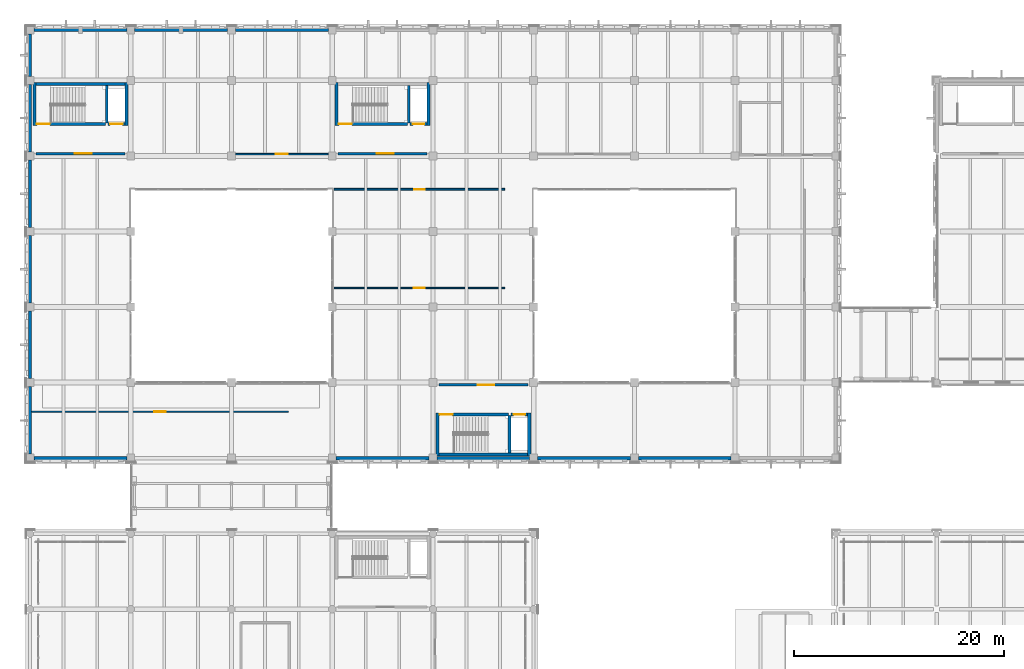
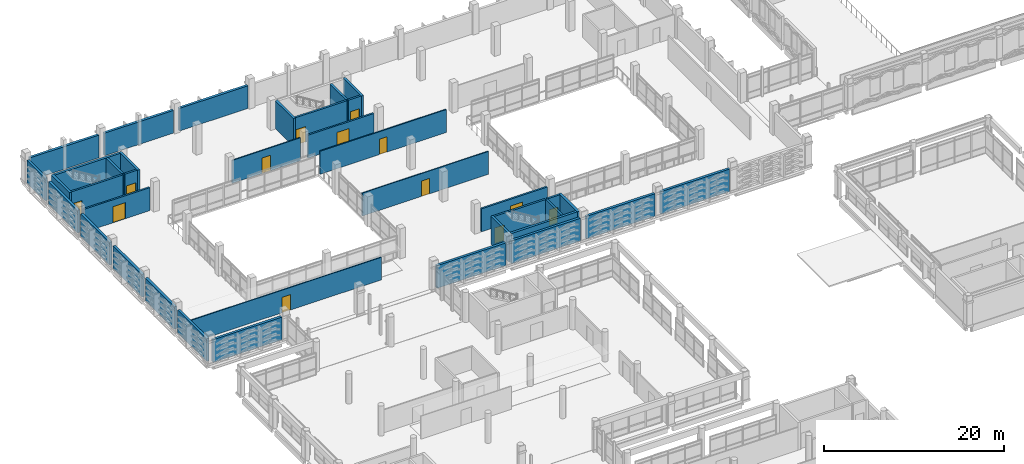
# One storey, part 154 of 180: 38 walls, 13 doors, 13 openings.
"""IFC4 building model written with IfcOpenShell, lengths in metres."""

from ifc_helpers import new_model, si_unit, direction, frame, frame_2d, origin, place, context, subcontext, project, spatial, rectangle, extrude, material, layer, layer_set, type_object, element, fill, save


model = new_model("IFC4")

# Units and contexts
model_context = context("Model", 3, precision=1e-05, world=origin(), true_north=direction((0.0, 1.0)))
body_context = subcontext(model_context, "Body", "Model", "MODEL_VIEW")
ifc_project = project(units=[si_unit("LENGTHUNIT", "METRE"), si_unit("AREAUNIT", "SQUARE_METRE"), si_unit("VOLUMEUNIT", "CUBIC_METRE"), si_unit("PLANEANGLEUNIT", "RADIAN"), si_unit("MASSUNIT", "GRAM", prefix="KILO")], contexts=[model_context])

# Site, building, storey
site_placement = place(None, origin())
site = spatial("IfcSite", under=ifc_project, at=site_placement, CompositionType="ELEMENT")
building_placement = place(site_placement, origin())
building = spatial("IfcBuilding", under=site, at=building_placement, Name="Asteropetra Specialist Clinic", CompositionType="ELEMENT")
storey_placement = place(building_placement, frame((0.0, 0.0, 4.419921875)))
storey = spatial("IfcBuildingStorey", under=building, at=storey_placement, Name="L01", CompositionType="ELEMENT", Elevation=4.419921875)

# Walls
ifc_material_1 = material(Name="Chevron terracotta deep", Category="masonry")
ifc_layer_1 = layer(ifc_material_1, 0.320068359375)
ifc_layer_set_1 = layer_set([ifc_layer_1], Name="Chevron terracotta deep")
wall_type_1 = type_object("IfcWallType", Name="EW-CHEV-TER-320", PredefinedType="SOLIDWALL", material=ifc_layer_set_1)
for number, where, z_axis, x_axis, name in (
    (1, (0.375, 69.60009765625, 0.0), (0.0, 0.0, 1.0), (1.0, 0.0, 0.0), "Exterior Wall EW-0062"),
    (2, (9.22509765625, 110.39990234375, 0.0), (0.0, 0.0, 1.0), (-1.0, 0.0, 0.0), "Exterior Wall EW-0063"),
):
    element("IfcWall", number, at=place(storey_placement, frame(where, z_axis=z_axis, x_axis=x_axis)), inside=storey, type_object=wall_type_1, Name=name, PredefinedType="SOLIDWALL", context=body_context, shape_type="SweptSolid", body=[
        extrude(rectangle(XDim=8.85009765625, YDim=0.320068359375, at=frame_2d((4.425048828125, 0.0))), origin(), (0.0, 0.0, 1.0), 3.080078125),
    ])
wall_1_placement = place(storey_placement, frame((18.824951171875, 110.39990234375, 0.0), z_axis=(0.0, 0.0, 1.0), x_axis=(-1.0, 0.0, 0.0)))
element("IfcWall", 3, at=wall_1_placement, inside=storey, type_object=wall_type_1, Name="Exterior Wall EW-0064", PredefinedType="SOLIDWALL", context=body_context, shape_type="SweptSolid", body=[
    extrude(rectangle(XDim=8.849853515625, YDim=0.320068359375, at=frame_2d((4.4248046875, 0.0))), origin(), (0.0, 0.0, 1.0), 3.080078125),
])
wall_2_placement = place(storey_placement, frame((28.425048828125, 110.39990234375, 0.0), z_axis=(0.0, 0.0, 1.0), x_axis=(-1.0, 0.0, 0.0)))
element("IfcWall", 4, at=wall_2_placement, inside=storey, type_object=wall_type_1, Name="Exterior Wall EW-0065", PredefinedType="SOLIDWALL", context=body_context, shape_type="SweptSolid", body=[
    extrude(rectangle(XDim=8.85009765625, YDim=0.320068359375, at=frame_2d((4.425048828125, 0.0))), origin(), (0.0, 0.0, 1.0), 3.080078125),
])
wall_3_placement = place(storey_placement, frame((29.175048828125, 69.60009765625, 0.0), z_axis=(0.0, 0.0, 1.0), x_axis=(1.0, 0.0, 0.0)))
element("IfcWall", 5, at=wall_3_placement, inside=storey, type_object=wall_type_1, Name="Exterior Wall EW-0066", PredefinedType="SOLIDWALL", context=body_context, shape_type="SweptSolid", body=[
    extrude(rectangle(XDim=8.849853515625, YDim=0.320068359375, at=frame_2d((4.4248046875, 0.0))), origin(), (0.0, 0.0, 1.0), 3.080078125),
])
wall_4_placement = place(storey_placement, frame((38.77490234375, 69.60009765625, 0.0), z_axis=(0.0, 0.0, 1.0), x_axis=(1.0, 0.0, 0.0)))
element("IfcWall", 6, at=wall_4_placement, inside=storey, type_object=wall_type_1, Name="Exterior Wall EW-0068", PredefinedType="SOLIDWALL", context=body_context, shape_type="SweptSolid", body=[
    extrude(rectangle(XDim=8.85009765625, YDim=0.320068359375, at=frame_2d((4.425048828125, 0.0))), origin(), (0.0, 0.0, 1.0), 3.080078125),
])
wall_5_placement = place(storey_placement, frame((48.375, 69.60009765625, 0.0), z_axis=(0.0, 0.0, 1.0), x_axis=(1.0, 0.0, 0.0)))
element("IfcWall", 7, at=wall_5_placement, inside=storey, type_object=wall_type_1, Name="Exterior Wall EW-0070", PredefinedType="SOLIDWALL", context=body_context, shape_type="SweptSolid", body=[
    extrude(rectangle(XDim=8.85009765625, YDim=0.320068359375, at=frame_2d((4.425048828125, 0.0))), origin(), (0.0, 0.0, 1.0), 3.050048828125),
])
wall_6_placement = place(storey_placement, frame((57.97509765625, 69.60009765625, 0.0), z_axis=(0.0, 0.0, 1.0), x_axis=(1.0, 0.0, 0.0)))
element("IfcWall", 8, at=wall_6_placement, inside=storey, type_object=wall_type_1, Name="Exterior Wall EW-0072", PredefinedType="SOLIDWALL", context=body_context, shape_type="SweptSolid", body=[
    extrude(rectangle(XDim=8.849853515625, YDim=0.320068359375, at=frame_2d((4.4248046875, 0.0))), origin(), (0.0, 0.0, 1.0), 3.050048828125),
])
for number, where, z_axis, x_axis, name in (
    (9, (0.0, 76.425048828125, 0.0), (0.0, 0.0, 1.0), (0.0, -1.0, 0.0), "Exterior Wall EW-0076"),
    (10, (0.0, 83.625, 0.0), (0.0, 0.0, 1.0), (0.0, -1.0, 0.0), "Exterior Wall EW-0078"),
    (11, (0.0, 90.824951171875, 0.0), (0.0, 0.0, 1.0), (0.0, -1.0, 0.0), "Exterior Wall EW-0079"),
    (12, (0.0, 98.02490234375, 0.0), (0.0, 0.0, 1.0), (0.0, -1.0, 0.0), "Exterior Wall EW-0081"),
):
    element("IfcWall", number, at=place(storey_placement, frame(where, z_axis=z_axis, x_axis=x_axis)), inside=storey, type_object=wall_type_1, Name=name, PredefinedType="SOLIDWALL", context=body_context, shape_type="SweptSolid", body=[
        extrude(rectangle(XDim=6.449951171875, YDim=0.320068359375, at=frame_2d((3.22509765625, 0.0))), origin(), (0.0, 0.0, 1.0), 3.080078125),
    ])
wall_7_placement = place(storey_placement, frame((0.0, 105.22509765625, 0.0), z_axis=(0.0, 0.0, 1.0), x_axis=(0.0, -1.0, 0.0)))
element("IfcWall", 13, at=wall_7_placement, inside=storey, type_object=wall_type_1, Name="Exterior Wall EW-0083", PredefinedType="SOLIDWALL", context=body_context, shape_type="SweptSolid", body=[
    extrude(rectangle(XDim=6.4501953125, YDim=0.320068359375, at=frame_2d((3.22509765625, 0.0))), origin(), (0.0, 0.0, 1.0), 3.080078125),
])
wall_8_placement = place(storey_placement, frame((0.0, 110.02490234375, 0.0), z_axis=(0.0, 0.0, 1.0), x_axis=(0.0, -1.0, 0.0)))
element("IfcWall", 14, at=wall_8_placement, inside=storey, type_object=wall_type_1, Name="Exterior Wall EW-0085", PredefinedType="SOLIDWALL", context=body_context, shape_type="SweptSolid", body=[
    extrude(rectangle(XDim=4.0498046875, YDim=0.320068359375, at=frame_2d((2.02490234375, 0.0))), origin(), (0.0, 0.0, 1.0), 3.080078125),
])

# Wall, opening, door
ifc_material_2 = material(Name="Fire-rated masonry and gypsum", Category="masonry")
ifc_layer_2 = layer(ifc_material_2, 0.219970703125)
ifc_layer_set_2 = layer_set([ifc_layer_2], Name="Fire-rated masonry and gypsum")
wall_type_2 = type_object("IfcWallType", Name="W-COMP-220", PredefinedType="PARTITIONING", material=ifc_layer_set_2)
wall_9_placement = place(storey_placement, frame((0.56005859375, 98.6201171875, 0.0), z_axis=(0.0, 0.0, 1.0), x_axis=(1.0, 0.0, 0.0)))
wall_9 = element("IfcWall", 15, at=wall_9_placement, inside=storey, type_object=wall_type_2, Name="Core Wall CW-C1-L01-LOB", PredefinedType="PARTITIONING", context=body_context, shape_type="SweptSolid", body=[
    extrude(rectangle(XDim=8.47998046875, YDim=0.219970703125, at=frame_2d((4.239990234375, 0.0))), origin(), (0.0, 0.0, 1.0), 3.130126953125),
])
opening_1_placement = place(wall_9_placement, frame((3.699951171875, 0.0, 0.0)))
opening_1 = element("IfcOpeningElement", 16, at=opening_1_placement, cuts=wall_9, Name="Opening FD-004", PredefinedType="OPENING", context=body_context, shape_type="SweptSolid", body=[
    extrude(rectangle(XDim=1.60009765625, YDim=2.199951171875, at=frame_2d((0.800048828125, 1.10009765625))), frame((0.0, 0.119873046875, 0.0), z_axis=(0.0, -1.0, 0.0), x_axis=(1.0, 0.0, 0.0)), (0.0, 0.0, 1.0), 0.239990234375),
])
ifc_material_3 = material(Name="Fire-rated steel and vision glass door", Category="steel")
door_type_1 = type_object("IfcDoorType", Name="FD-LOBBY-1600", OperationType="DOUBLE_DOOR_SINGLE_SWING", PredefinedType="DOOR", material=ifc_material_3)
door_1_placement = place(opening_1_placement, origin())
door_1 = element("IfcDoor", 17, at=door_1_placement, inside=storey, type_object=door_type_1, Name="Lobby Fire Door FD-004", OperationType="DOUBLE_DOOR_SINGLE_SWING", OverallHeight=2.199951171875, OverallWidth=1.60009765625, PredefinedType="DOOR", context=body_context, shape_type="SweptSolid", body=[
    extrude(rectangle(XDim=1.60009765625, YDim=2.199951171875, at=frame_2d((0.800048828125, 1.10009765625))), frame((0.0, 0.02490234375, 0.0), z_axis=(0.0, -1.0, 0.0), x_axis=(1.0, 0.0, 0.0)), (0.0, 0.0, 1.0), 0.050048828125),
])
fill(opening_1, door_1)

wall_10_placement = place(storey_placement, frame((29.360107421875, 98.6201171875, 0.0), z_axis=(0.0, 0.0, 1.0), x_axis=(1.0, 0.0, 0.0)))
wall_10 = element("IfcWall", 18, at=wall_10_placement, inside=storey, type_object=wall_type_2, Name="Core Wall CW-C2-L01-LOB", PredefinedType="PARTITIONING", context=body_context, shape_type="SweptSolid", body=[
    extrude(rectangle(XDim=8.47998046875, YDim=0.219970703125, at=frame_2d((4.239990234375, 0.0))), origin(), (0.0, 0.0, 1.0), 3.130126953125),
])
opening_2_placement = place(wall_10_placement, frame((3.699951171875, 0.0, 0.0)))
opening_2 = element("IfcOpeningElement", 19, at=opening_2_placement, cuts=wall_10, Name="Opening FD-016", PredefinedType="OPENING", context=body_context, shape_type="SweptSolid", body=[
    extrude(rectangle(XDim=1.60009765625, YDim=2.199951171875, at=frame_2d((0.800048828125, 1.10009765625))), frame((0.0, 0.119873046875, 0.0), z_axis=(0.0, -1.0, 0.0), x_axis=(1.0, 0.0, 0.0)), (0.0, 0.0, 1.0), 0.239990234375),
])
door_2_placement = place(opening_2_placement, origin())
door_2 = element("IfcDoor", 20, at=door_2_placement, inside=storey, type_object=door_type_1, Name="Lobby Fire Door FD-016", OperationType="DOUBLE_DOOR_SINGLE_SWING", OverallHeight=2.199951171875, OverallWidth=1.60009765625, PredefinedType="DOOR", context=body_context, shape_type="SweptSolid", body=[
    extrude(rectangle(XDim=1.60009765625, YDim=2.199951171875, at=frame_2d((0.800048828125, 1.10009765625))), frame((0.0, 0.02490234375, 0.0), z_axis=(0.0, -1.0, 0.0), x_axis=(1.0, 0.0, 0.0)), (0.0, 0.0, 1.0), 0.050048828125),
])
fill(opening_2, door_2)

wall_11_placement = place(storey_placement, frame((38.9599609375, 76.580078125, 0.0), z_axis=(0.0, 0.0, 1.0), x_axis=(1.0, 0.0, 0.0)))
wall_11 = element("IfcWall", 21, at=wall_11_placement, inside=storey, type_object=wall_type_2, Name="Core Wall CW-C3-L01-LOB", PredefinedType="PARTITIONING", context=body_context, shape_type="SweptSolid", body=[
    extrude(rectangle(XDim=8.47998046875, YDim=0.219970703125, at=frame_2d((4.239990234375, 0.0))), origin(), (0.0, 0.0, 1.0), 3.130126953125),
])
opening_3_placement = place(wall_11_placement, frame((3.699951171875, 0.0, 0.0)))
opening_3 = element("IfcOpeningElement", 22, at=opening_3_placement, cuts=wall_11, Name="Opening FD-028", PredefinedType="OPENING", context=body_context, shape_type="SweptSolid", body=[
    extrude(rectangle(XDim=1.60009765625, YDim=2.199951171875, at=frame_2d((0.800048828125, 1.10009765625))), frame((0.0, 0.119873046875, 0.0), z_axis=(0.0, -1.0, 0.0), x_axis=(1.0, 0.0, 0.0)), (0.0, 0.0, 1.0), 0.239990234375),
])
door_3_placement = place(opening_3_placement, origin())
door_3 = element("IfcDoor", 23, at=door_3_placement, inside=storey, type_object=door_type_1, Name="Lobby Fire Door FD-028", OperationType="DOUBLE_DOOR_SINGLE_SWING", OverallHeight=2.199951171875, OverallWidth=1.60009765625, PredefinedType="DOOR", context=body_context, shape_type="SweptSolid", body=[
    extrude(rectangle(XDim=1.60009765625, YDim=2.199951171875, at=frame_2d((0.800048828125, 1.10009765625))), frame((0.0, 0.02490234375, 0.0), z_axis=(0.0, -1.0, 0.0), x_axis=(1.0, 0.0, 0.0)), (0.0, 0.0, 1.0), 0.050048828125),
])
fill(opening_3, door_3)

# Walls
ifc_material_4 = material(Name="Concrete C35/45", Category="concrete")
ifc_layer_3 = layer(ifc_material_4, 0.300048828125)
ifc_layer_set_3 = layer_set([ifc_layer_3], Name="Concrete C35/45")
wall_type_3 = type_object("IfcWallType", Name="W-CORE-300", PredefinedType="SHEAR", material=ifc_layer_set_3)
for number, where, z_axis, x_axis, name in (
    (24, (0.419921875, 101.2900390625, 0.0), (0.0, 0.0, 1.0), (0.0, 1.0, 0.0), "Core Wall CW-C1-L01-W"),
    (25, (9.179931640625, 101.2900390625, 0.0), (0.0, 0.0, 1.0), (0.0, 1.0, 0.0), "Core Wall CW-C1-L01-E"),
):
    element("IfcWall", number, at=place(storey_placement, frame(where, z_axis=z_axis, x_axis=x_axis)), inside=storey, type_object=wall_type_3, Name=name, PredefinedType="SHEAR", context=body_context, shape_type="SweptSolid", body=[
        extrude(rectangle(XDim=4.099853515625, YDim=0.300048828125, at=frame_2d((2.0498046875, 0.0))), origin(), (0.0, 0.0, 1.0), 3.800048828125),
    ])
wall_12_placement = place(storey_placement, frame((0.56494140625, 105.239990234375, 0.0), z_axis=(0.0, 0.0, 1.0), x_axis=(1.0, 0.0, 0.0)))
element("IfcWall", 26, at=wall_12_placement, inside=storey, type_object=wall_type_3, Name="Core Wall CW-C1-L01-BACK", PredefinedType="SHEAR", context=body_context, shape_type="SweptSolid", body=[
    extrude(rectangle(XDim=8.469970703125, YDim=0.300048828125, at=frame_2d((4.23486328125, 0.0))), origin(), (0.0, 0.0, 1.0), 3.800048828125),
])
for number, where, z_axis, x_axis, name in (
    (27, (29.219970703125, 101.2900390625, 0.0), (0.0, 0.0, 1.0), (0.0, 1.0, 0.0), "Core Wall CW-C2-L01-W"),
    (28, (37.97998046875, 101.2900390625, 0.0), (0.0, 0.0, 1.0), (0.0, 1.0, 0.0), "Core Wall CW-C2-L01-E"),
    (29, (38.820068359375, 69.81005859375, 0.0), (0.0, 0.0, 1.0), (0.0, 1.0, 0.0), "Core Wall CW-C3-L01-W"),
    (30, (47.580078125, 69.81005859375, 0.0), (0.0, 0.0, 1.0), (0.0, 1.0, 0.0), "Core Wall CW-C3-L01-E"),
):
    element("IfcWall", number, at=place(storey_placement, frame(where, z_axis=z_axis, x_axis=x_axis)), inside=storey, type_object=wall_type_3, Name=name, PredefinedType="SHEAR", context=body_context, shape_type="SweptSolid", body=[
        extrude(rectangle(XDim=4.099853515625, YDim=0.300048828125, at=frame_2d((2.0498046875, 0.0))), origin(), (0.0, 0.0, 1.0), 3.800048828125),
    ])
wall_13_placement = place(storey_placement, frame((38.965087890625, 69.9599609375, 0.0), z_axis=(0.0, 0.0, 1.0), x_axis=(1.0, 0.0, 0.0)))
element("IfcWall", 31, at=wall_13_placement, inside=storey, type_object=wall_type_3, Name="Core Wall CW-C3-L01-BACK", PredefinedType="SHEAR", context=body_context, shape_type="SweptSolid", body=[
    extrude(rectangle(XDim=8.469970703125, YDim=0.300048828125, at=frame_2d((4.23486328125, 0.0))), origin(), (0.0, 0.0, 1.0), 3.800048828125),
])

# Wall, opening, door
ifc_material_5 = material(Name="Light partition", Category="masonry")
ifc_layer_4 = layer(ifc_material_5, 0.1201171875)
ifc_layer_set_4 = layer_set([ifc_layer_4], Name="Light partition")
wall_type_4 = type_object("IfcWallType", Name="W-PART-120", PredefinedType="PARTITIONING", material=ifc_layer_set_4)
wall_14_placement = place(storey_placement, frame((28.97998046875, 85.820068359375, 0.0), z_axis=(0.0, 0.0, 1.0), x_axis=(1.0, 0.0, 0.0)))
wall_14 = element("IfcWall", 32, at=wall_14_placement, inside=storey, type_object=wall_type_4, Name="Interior Partition PW-0104", PredefinedType="PARTITIONING", context=body_context, shape_type="SweptSolid", body=[
    extrude(rectangle(XDim=16.239990234375, YDim=0.1201171875, at=frame_2d((8.1201171875, 0.0))), origin(), (0.0, 0.0, 1.0), 3.1201171875),
])
opening_4_placement = place(wall_14_placement, frame((7.594970703125, 0.0, 0.0)))
opening_4 = element("IfcOpeningElement", 33, at=opening_4_placement, cuts=wall_14, Name="Opening ID-0064", PredefinedType="OPENING", context=body_context, shape_type="SweptSolid", body=[
    extrude(rectangle(XDim=1.050048828125, YDim=2.10009765625, at=frame_2d((0.52490234375, 1.050048828125))), frame((0.0, 0.070068359375, 0.0), z_axis=(0.0, -1.0, 0.0), x_axis=(1.0, 0.0, 0.0)), (0.0, 0.0, 1.0), 0.14013671875),
])
ifc_material_6 = material(Name="Antimicrobial laminate timber leaf in steel frame", Category="steel")
door_type_2 = type_object("IfcDoorType", Name="ID-CONS-1050", OperationType="SINGLE_SWING_LEFT", PredefinedType="DOOR", material=ifc_material_6)
door_4_placement = place(opening_4_placement, origin())
door_4 = element("IfcDoor", 34, at=door_4_placement, inside=storey, type_object=door_type_2, Name="Interior Door ID-0064", OperationType="SINGLE_SWING_LEFT", OverallHeight=2.10009765625, OverallWidth=1.050048828125, PredefinedType="DOOR", context=body_context, shape_type="SweptSolid", body=[
    extrude(rectangle(XDim=1.050048828125, YDim=2.10009765625, at=frame_2d((0.52490234375, 1.050048828125))), frame((0.0, 0.02490234375, 0.0), z_axis=(0.0, -1.0, 0.0), x_axis=(1.0, 0.0, 0.0)), (0.0, 0.0, 1.0), 0.050048828125),
])
fill(opening_4, door_4)

ifc_material_7 = material(Name="Office and seminar partition", Category="masonry")
ifc_layer_5 = layer(ifc_material_7, 0.1298828125)
ifc_layer_set_5 = layer_set([ifc_layer_5], Name="Office and seminar partition")
wall_type_5 = type_object("IfcWallType", Name="W-PART-130", PredefinedType="PARTITIONING", material=ifc_layer_set_5)
wall_15_placement = place(storey_placement, frame((0.162109375, 74.02001953125, 0.0), z_axis=(0.0, 0.0, 1.0), x_axis=(1.0, 0.0, 0.0)))
wall_15 = element("IfcWall", 35, at=wall_15_placement, inside=storey, type_object=wall_type_5, Name="Interior Partition PW-0103", PredefinedType="PARTITIONING", context=body_context, shape_type="SweptSolid", body=[
    extrude(rectangle(XDim=24.4580078125, YDim=0.1298828125, at=frame_2d((12.22900390625, 0.0))), origin(), (0.0, 0.0, 1.0), 3.080078125),
])
opening_5_placement = place(wall_15_placement, frame((11.678955078125, 0.0, 0.0)))
opening_5 = element("IfcOpeningElement", 36, at=opening_5_placement, cuts=wall_15, Name="Opening ID-0063", PredefinedType="OPENING", context=body_context, shape_type="SweptSolid", body=[
    extrude(rectangle(XDim=1.10009765625, YDim=2.10009765625, at=frame_2d((0.550048828125, 1.050048828125))), frame((0.0, 0.074951171875, 0.0), z_axis=(0.0, -1.0, 0.0), x_axis=(1.0, 0.0, 0.0)), (0.0, 0.0, 1.0), 0.14990234375),
])
ifc_material_8 = material(Name="Antimicrobial laminate timber leaf in steel frame", Category="steel")
door_type_3 = type_object("IfcDoorType", Name="ID-CONS-1100", OperationType="SINGLE_SWING_RIGHT", PredefinedType="DOOR", material=ifc_material_8)
door_5_placement = place(opening_5_placement, origin())
door_5 = element("IfcDoor", 37, at=door_5_placement, inside=storey, type_object=door_type_3, Name="Interior Door ID-0063", OperationType="SINGLE_SWING_RIGHT", OverallHeight=2.10009765625, OverallWidth=1.10009765625, PredefinedType="DOOR", context=body_context, shape_type="SweptSolid", body=[
    extrude(rectangle(XDim=1.10009765625, YDim=2.10009765625, at=frame_2d((0.550048828125, 1.050048828125))), frame((0.0, 0.02490234375, 0.0), z_axis=(0.0, -1.0, 0.0), x_axis=(1.0, 0.0, 0.0)), (0.0, 0.0, 1.0), 0.050048828125),
])
fill(opening_5, door_5)

ifc_material_9 = material(Name="Laboratory partition", Category="masonry")
ifc_layer_6 = layer(ifc_material_9, 0.139892578125)
ifc_layer_set_6 = layer_set([ifc_layer_6], Name="Laboratory partition")
wall_type_6 = type_object("IfcWallType", Name="W-PART-140", PredefinedType="PARTITIONING", material=ifc_layer_set_6)
wall_16_placement = place(storey_placement, frame((19.580078125, 98.580078125, 0.0), z_axis=(0.0, 0.0, 1.0), x_axis=(1.0, 0.0, 0.0)))
wall_16 = element("IfcWall", 38, at=wall_16_placement, inside=storey, type_object=wall_type_6, Name="Interior Partition PW-0107", PredefinedType="PARTITIONING", context=body_context, shape_type="SweptSolid", body=[
    extrude(rectangle(XDim=8.83984375, YDim=0.139892578125, at=frame_2d((4.419921875, 0.0))), origin(), (0.0, 0.0, 1.0), 3.1201171875),
])
opening_6_placement = place(wall_16_placement, frame((3.860107421875, 0.0, 0.0)))
opening_6 = element("IfcOpeningElement", 39, at=opening_6_placement, cuts=wall_16, Name="Opening ID-0067", PredefinedType="OPENING", context=body_context, shape_type="SweptSolid", body=[
    extrude(rectangle(XDim=1.1201171875, YDim=2.10009765625, at=frame_2d((0.56005859375, 1.050048828125))), frame((0.0, 0.079833984375, 0.0), z_axis=(0.0, -1.0, 0.0), x_axis=(1.0, 0.0, 0.0)), (0.0, 0.0, 1.0), 0.159912109375),
])
ifc_material_10 = material(Name="Antimicrobial laminate timber leaf in steel frame", Category="steel")
door_type_4 = type_object("IfcDoorType", Name="ID-EXAM-1120", OperationType="SINGLE_SWING_RIGHT", PredefinedType="DOOR", material=ifc_material_10)
door_6_placement = place(opening_6_placement, origin())
door_6 = element("IfcDoor", 40, at=door_6_placement, inside=storey, type_object=door_type_4, Name="Interior Door ID-0067", OperationType="SINGLE_SWING_RIGHT", OverallHeight=2.10009765625, OverallWidth=1.1201171875, PredefinedType="DOOR", context=body_context, shape_type="SweptSolid", body=[
    extrude(rectangle(XDim=1.1201171875, YDim=2.10009765625, at=frame_2d((0.56005859375, 1.050048828125))), frame((0.0, 0.02490234375, 0.0), z_axis=(0.0, -1.0, 0.0), x_axis=(1.0, 0.0, 0.0)), (0.0, 0.0, 1.0), 0.050048828125),
])
fill(opening_6, door_6)

ifc_material_11 = material(Name="Acoustic clinical stud partition", Category="masonry")
ifc_layer_7 = layer(ifc_material_11, 0.159912109375)
ifc_layer_set_7 = layer_set([ifc_layer_7], Name="Acoustic clinical stud partition")
wall_type_7 = type_object("IfcWallType", Name="W-PART-160", PredefinedType="PARTITIONING", material=ifc_layer_set_7)
wall_17_placement = place(storey_placement, frame((28.97998046875, 95.219970703125, 0.0), z_axis=(0.0, 0.0, 1.0), x_axis=(1.0, 0.0, 0.0)))
wall_17 = element("IfcWall", 41, at=wall_17_placement, inside=storey, type_object=wall_type_7, Name="Interior Partition PW-0105", PredefinedType="PARTITIONING", context=body_context, shape_type="SweptSolid", body=[
    extrude(rectangle(XDim=16.239990234375, YDim=0.159912109375, at=frame_2d((8.1201171875, 0.0))), origin(), (0.0, 0.0, 1.0), 3.1201171875),
])
opening_7_placement = place(wall_17_placement, frame((7.6201171875, 0.0, 0.0)))
opening_7 = element("IfcOpeningElement", 42, at=opening_7_placement, cuts=wall_17, Name="Opening ID-0065", PredefinedType="OPENING", context=body_context, shape_type="SweptSolid", body=[
    extrude(rectangle(XDim=1.0, YDim=2.10009765625, at=frame_2d((0.5, 1.050048828125))), frame((0.0, 0.08984375, 0.0), z_axis=(0.0, -1.0, 0.0), x_axis=(1.0, 0.0, 0.0)), (0.0, 0.0, 1.0), 0.179931640625),
])
ifc_material_12 = material(Name="Antimicrobial laminate timber leaf in steel frame", Category="steel")
door_type_5 = type_object("IfcDoorType", Name="ID-CONS-1000", OperationType="SINGLE_SWING_RIGHT", PredefinedType="DOOR", material=ifc_material_12)
door_7_placement = place(opening_7_placement, origin())
door_7 = element("IfcDoor", 43, at=door_7_placement, inside=storey, type_object=door_type_5, Name="Interior Door ID-0065", OperationType="SINGLE_SWING_RIGHT", OverallHeight=2.10009765625, OverallWidth=1.0, PredefinedType="DOOR", context=body_context, shape_type="SweptSolid", body=[
    extrude(rectangle(XDim=1.0, YDim=2.10009765625, at=frame_2d((0.5, 1.050048828125))), frame((0.0, 0.02490234375, 0.0), z_axis=(0.0, -1.0, 0.0), x_axis=(1.0, 0.0, 0.0)), (0.0, 0.0, 1.0), 0.050048828125),
])
fill(opening_7, door_7)

# Wall
ifc_material_13 = material(Name="Concrete C35/45", Category="concrete")
ifc_layer_8 = layer(ifc_material_13, 0.25)
ifc_layer_set_8 = layer_set([ifc_layer_8], Name="Concrete C35/45")
wall_type_8 = type_object("IfcWallType", Name="W-SHAFT-250", PredefinedType="SHEAR", material=ifc_layer_set_8)
wall_18_placement = place(storey_placement, frame((7.300048828125, 101.56005859375, 0.0), z_axis=(0.0, 0.0, 1.0), x_axis=(0.0, 1.0, 0.0)))
element("IfcWall", 44, at=wall_18_placement, inside=storey, type_object=wall_type_8, Name="Core Wall CW-C1-L01-MID", PredefinedType="SHEAR", context=body_context, shape_type="SweptSolid", body=[
    extrude(rectangle(XDim=3.530029296875, YDim=0.25, at=frame_2d((1.76513671875, 0.0))), origin(), (0.0, 0.0, 1.0), 3.800048828125),
])

# Wall, opening, door
wall_19_placement = place(storey_placement, frame((0.56494140625, 101.43994140625, 0.0), z_axis=(0.0, 0.0, 1.0), x_axis=(1.0, 0.0, 0.0)))
wall_19 = element("IfcWall", 45, at=wall_19_placement, inside=storey, type_object=wall_type_8, Name="Core Wall CW-C1-L01-STDIV", PredefinedType="SHEAR", context=body_context, shape_type="SweptSolid", body=[
    extrude(rectangle(XDim=6.614990234375, YDim=0.25, at=frame_2d((3.3076171875, 0.0))), origin(), (0.0, 0.0, 1.0), 3.800048828125),
])
opening_8_placement = place(wall_19_placement, frame((0.080078125, 0.0, 0.0)))
opening_8 = element("IfcOpeningElement", 46, at=opening_8_placement, cuts=wall_19, Name="Opening FD-003", PredefinedType="OPENING", context=body_context, shape_type="SweptSolid", body=[
    extrude(rectangle(XDim=1.239990234375, YDim=2.14990234375, at=frame_2d((0.6201171875, 1.074951171875))), frame((0.0, 0.135009765625, 0.0), z_axis=(0.0, -1.0, 0.0), x_axis=(1.0, 0.0, 0.0)), (0.0, 0.0, 1.0), 0.27001953125),
])
ifc_material_14 = material(Name="Fire-rated steel and vision glass door", Category="steel")
door_type_6 = type_object("IfcDoorType", Name="FD-STAIR-1400", OperationType="DOUBLE_DOOR_SINGLE_SWING", PredefinedType="DOOR", material=ifc_material_14)
door_8_placement = place(opening_8_placement, origin())
door_8 = element("IfcDoor", 47, at=door_8_placement, inside=storey, type_object=door_type_6, Name="Stair Fire Door FD-003", OperationType="DOUBLE_DOOR_SINGLE_SWING", OverallHeight=2.14990234375, OverallWidth=1.239990234375, PredefinedType="DOOR", context=body_context, shape_type="SweptSolid", body=[
    extrude(rectangle(XDim=1.239990234375, YDim=2.14990234375, at=frame_2d((0.6201171875, 1.074951171875))), frame((0.0, 0.02490234375, 0.0), z_axis=(0.0, -1.0, 0.0), x_axis=(1.0, 0.0, 0.0)), (0.0, 0.0, 1.0), 0.050048828125),
])
fill(opening_8, door_8)

wall_20_placement = place(storey_placement, frame((7.419921875, 101.43994140625, 0.0), z_axis=(0.0, 0.0, 1.0), x_axis=(1.0, 0.0, 0.0)))
wall_20 = element("IfcWall", 48, at=wall_20_placement, inside=storey, type_object=wall_type_8, Name="Lift Shaft Front Wall CW-C1-L01-LFTF", PredefinedType="SHEAR", context=body_context, shape_type="SweptSolid", body=[
    extrude(rectangle(XDim=1.614990234375, YDim=0.25, at=frame_2d((0.8076171875, 0.0))), origin(), (0.0, 0.0, 1.0), 3.800048828125),
])
opening_9_placement = place(wall_20_placement, frame((0.20751953125, 0.0, 0.0)))
opening_9 = element("IfcOpeningElement", 49, at=opening_9_placement, cuts=wall_20, Name="Opening LD-002", PredefinedType="OPENING", context=body_context, shape_type="SweptSolid", body=[
    extrude(rectangle(XDim=1.199951171875, YDim=2.14990234375, at=frame_2d((0.60009765625, 1.074951171875))), frame((0.0, 0.135009765625, 0.0), z_axis=(0.0, -1.0, 0.0), x_axis=(1.0, 0.0, 0.0)), (0.0, 0.0, 1.0), 0.27001953125),
])
ifc_material_15 = material(Name="Brushed stainless steel sliding lift landing door", Category="steel")
door_type_7 = type_object("IfcDoorType", Name="LD-FF-1200", OperationType="DOUBLE_DOOR_SLIDING", PredefinedType="DOOR", material=ifc_material_15)
door_9_placement = place(opening_9_placement, origin())
door_9 = element("IfcDoor", 50, at=door_9_placement, inside=storey, type_object=door_type_7, Name="Lift Landing Door LD-002", OperationType="DOUBLE_DOOR_SLIDING", OverallHeight=2.14990234375, OverallWidth=1.199951171875, PredefinedType="DOOR", context=body_context, shape_type="SweptSolid", body=[
    extrude(rectangle(XDim=1.199951171875, YDim=2.14990234375, at=frame_2d((0.60009765625, 1.074951171875))), frame((0.0, 0.02490234375, 0.0), z_axis=(0.0, -1.0, 0.0), x_axis=(1.0, 0.0, 0.0)), (0.0, 0.0, 1.0), 0.050048828125),
])
fill(opening_9, door_9)

# Wall
wall_21_placement = place(storey_placement, frame((36.10009765625, 101.56005859375, 0.0), z_axis=(0.0, 0.0, 1.0), x_axis=(0.0, 1.0, 0.0)))
element("IfcWall", 51, at=wall_21_placement, inside=storey, type_object=wall_type_8, Name="Core Wall CW-C2-L01-MID", PredefinedType="SHEAR", context=body_context, shape_type="SweptSolid", body=[
    extrude(rectangle(XDim=3.530029296875, YDim=0.25, at=frame_2d((1.76513671875, 0.0))), origin(), (0.0, 0.0, 1.0), 3.800048828125),
])

# Wall, opening, door
wall_22_placement = place(storey_placement, frame((29.364990234375, 101.43994140625, 0.0), z_axis=(0.0, 0.0, 1.0), x_axis=(1.0, 0.0, 0.0)))
wall_22 = element("IfcWall", 52, at=wall_22_placement, inside=storey, type_object=wall_type_8, Name="Core Wall CW-C2-L01-STDIV", PredefinedType="SHEAR", context=body_context, shape_type="SweptSolid", body=[
    extrude(rectangle(XDim=6.614990234375, YDim=0.25, at=frame_2d((3.3076171875, 0.0))), origin(), (0.0, 0.0, 1.0), 3.800048828125),
])
opening_10_placement = place(wall_22_placement, frame((0.080078125, 0.0, 0.0)))
opening_10 = element("IfcOpeningElement", 53, at=opening_10_placement, cuts=wall_22, Name="Opening FD-015", PredefinedType="OPENING", context=body_context, shape_type="SweptSolid", body=[
    extrude(rectangle(XDim=1.239990234375, YDim=2.14990234375, at=frame_2d((0.6201171875, 1.074951171875))), frame((0.0, 0.135009765625, 0.0), z_axis=(0.0, -1.0, 0.0), x_axis=(1.0, 0.0, 0.0)), (0.0, 0.0, 1.0), 0.27001953125),
])
door_10_placement = place(opening_10_placement, origin())
door_10 = element("IfcDoor", 54, at=door_10_placement, inside=storey, type_object=door_type_6, Name="Stair Fire Door FD-015", OperationType="DOUBLE_DOOR_SINGLE_SWING", OverallHeight=2.14990234375, OverallWidth=1.239990234375, PredefinedType="DOOR", context=body_context, shape_type="SweptSolid", body=[
    extrude(rectangle(XDim=1.239990234375, YDim=2.14990234375, at=frame_2d((0.6201171875, 1.074951171875))), frame((0.0, 0.02490234375, 0.0), z_axis=(0.0, -1.0, 0.0), x_axis=(1.0, 0.0, 0.0)), (0.0, 0.0, 1.0), 0.050048828125),
])
fill(opening_10, door_10)

wall_23_placement = place(storey_placement, frame((36.219970703125, 101.43994140625, 0.0), z_axis=(0.0, 0.0, 1.0), x_axis=(1.0, 0.0, 0.0)))
wall_23 = element("IfcWall", 55, at=wall_23_placement, inside=storey, type_object=wall_type_8, Name="Lift Shaft Front Wall CW-C2-L01-LFTF", PredefinedType="SHEAR", context=body_context, shape_type="SweptSolid", body=[
    extrude(rectangle(XDim=1.614990234375, YDim=0.25, at=frame_2d((0.8076171875, 0.0))), origin(), (0.0, 0.0, 1.0), 3.800048828125),
])
opening_11_placement = place(wall_23_placement, frame((0.257568359375, 0.0, 0.0)))
opening_11 = element("IfcOpeningElement", 56, at=opening_11_placement, cuts=wall_23, Name="Opening LD-008", PredefinedType="OPENING", context=body_context, shape_type="SweptSolid", body=[
    extrude(rectangle(XDim=1.10009765625, YDim=2.14990234375, at=frame_2d((0.550048828125, 1.074951171875))), frame((0.0, 0.135009765625, 0.0), z_axis=(0.0, -1.0, 0.0), x_axis=(1.0, 0.0, 0.0)), (0.0, 0.0, 1.0), 0.27001953125),
])
ifc_material_16 = material(Name="Brushed stainless steel sliding lift landing door", Category="steel")
door_type_8 = type_object("IfcDoorType", Name="LD-PASS-1100", OperationType="DOUBLE_DOOR_SLIDING", PredefinedType="DOOR", material=ifc_material_16)
door_11_placement = place(opening_11_placement, origin())
door_11 = element("IfcDoor", 57, at=door_11_placement, inside=storey, type_object=door_type_8, Name="Lift Landing Door LD-008", OperationType="DOUBLE_DOOR_SLIDING", OverallHeight=2.14990234375, OverallWidth=1.10009765625, PredefinedType="DOOR", context=body_context, shape_type="SweptSolid", body=[
    extrude(rectangle(XDim=1.10009765625, YDim=2.14990234375, at=frame_2d((0.550048828125, 1.074951171875))), frame((0.0, 0.02490234375, 0.0), z_axis=(0.0, -1.0, 0.0), x_axis=(1.0, 0.0, 0.0)), (0.0, 0.0, 1.0), 0.050048828125),
])
fill(opening_11, door_11)

# Wall
wall_24_placement = place(storey_placement, frame((45.699951171875, 70.110107421875, 0.0), z_axis=(0.0, 0.0, 1.0), x_axis=(0.0, 1.0, 0.0)))
element("IfcWall", 58, at=wall_24_placement, inside=storey, type_object=wall_type_8, Name="Core Wall CW-C3-L01-MID", PredefinedType="SHEAR", context=body_context, shape_type="SweptSolid", body=[
    extrude(rectangle(XDim=3.52978515625, YDim=0.25, at=frame_2d((1.764892578125, 0.0))), origin(), (0.0, 0.0, 1.0), 3.800048828125),
])

# Wall, opening, door
wall_25_placement = place(storey_placement, frame((38.965087890625, 73.760009765625, 0.0), z_axis=(0.0, 0.0, 1.0), x_axis=(1.0, 0.0, 0.0)))
wall_25 = element("IfcWall", 59, at=wall_25_placement, inside=storey, type_object=wall_type_8, Name="Core Wall CW-C3-L01-STDIV", PredefinedType="SHEAR", context=body_context, shape_type="SweptSolid", body=[
    extrude(rectangle(XDim=6.614990234375, YDim=0.25, at=frame_2d((3.3076171875, 0.0))), origin(), (0.0, 0.0, 1.0), 3.800048828125),
])
opening_12_placement = place(wall_25_placement, frame((0.080078125, 0.0, 0.0)))
opening_12 = element("IfcOpeningElement", 60, at=opening_12_placement, cuts=wall_25, Name="Opening FD-027", PredefinedType="OPENING", context=body_context, shape_type="SweptSolid", body=[
    extrude(rectangle(XDim=1.239990234375, YDim=2.14990234375, at=frame_2d((0.6201171875, 1.074951171875))), frame((0.0, 0.135009765625, 0.0), z_axis=(0.0, -1.0, 0.0), x_axis=(1.0, 0.0, 0.0)), (0.0, 0.0, 1.0), 0.27001953125),
])
door_12_placement = place(opening_12_placement, origin())
door_12 = element("IfcDoor", 61, at=door_12_placement, inside=storey, type_object=door_type_6, Name="Stair Fire Door FD-027", OperationType="DOUBLE_DOOR_SINGLE_SWING", OverallHeight=2.14990234375, OverallWidth=1.239990234375, PredefinedType="DOOR", context=body_context, shape_type="SweptSolid", body=[
    extrude(rectangle(XDim=1.239990234375, YDim=2.14990234375, at=frame_2d((0.6201171875, 1.074951171875))), frame((0.0, 0.02490234375, 0.0), z_axis=(0.0, -1.0, 0.0), x_axis=(1.0, 0.0, 0.0)), (0.0, 0.0, 1.0), 0.050048828125),
])
fill(opening_12, door_12)

wall_26_placement = place(storey_placement, frame((45.820068359375, 73.760009765625, 0.0), z_axis=(0.0, 0.0, 1.0), x_axis=(1.0, 0.0, 0.0)))
wall_26 = element("IfcWall", 62, at=wall_26_placement, inside=storey, type_object=wall_type_8, Name="Lift Shaft Front Wall CW-C3-L01-LFTF", PredefinedType="SHEAR", context=body_context, shape_type="SweptSolid", body=[
    extrude(rectangle(XDim=1.614990234375, YDim=0.25, at=frame_2d((0.8076171875, 0.0))), origin(), (0.0, 0.0, 1.0), 3.800048828125),
])
opening_13_placement = place(wall_26_placement, frame((0.257568359375, 0.0, 0.0)))
opening_13 = element("IfcOpeningElement", 63, at=opening_13_placement, cuts=wall_26, Name="Opening LD-014", PredefinedType="OPENING", context=body_context, shape_type="SweptSolid", body=[
    extrude(rectangle(XDim=1.10009765625, YDim=2.14990234375, at=frame_2d((0.550048828125, 1.074951171875))), frame((0.0, 0.135009765625, 0.0), z_axis=(0.0, -1.0, 0.0), x_axis=(1.0, 0.0, 0.0)), (0.0, 0.0, 1.0), 0.27001953125),
])
door_13_placement = place(opening_13_placement, origin())
door_13 = element("IfcDoor", 64, at=door_13_placement, inside=storey, type_object=door_type_8, Name="Lift Landing Door LD-014", OperationType="DOUBLE_DOOR_SLIDING", OverallHeight=2.14990234375, OverallWidth=1.10009765625, PredefinedType="DOOR", context=body_context, shape_type="SweptSolid", body=[
    extrude(rectangle(XDim=1.10009765625, YDim=2.14990234375, at=frame_2d((0.550048828125, 1.074951171875))), frame((0.0, 0.02490234375, 0.0), z_axis=(0.0, -1.0, 0.0), x_axis=(1.0, 0.0, 0.0)), (0.0, 0.0, 1.0), 0.050048828125),
])
fill(opening_13, door_13)

save(model, "model.ifc")
